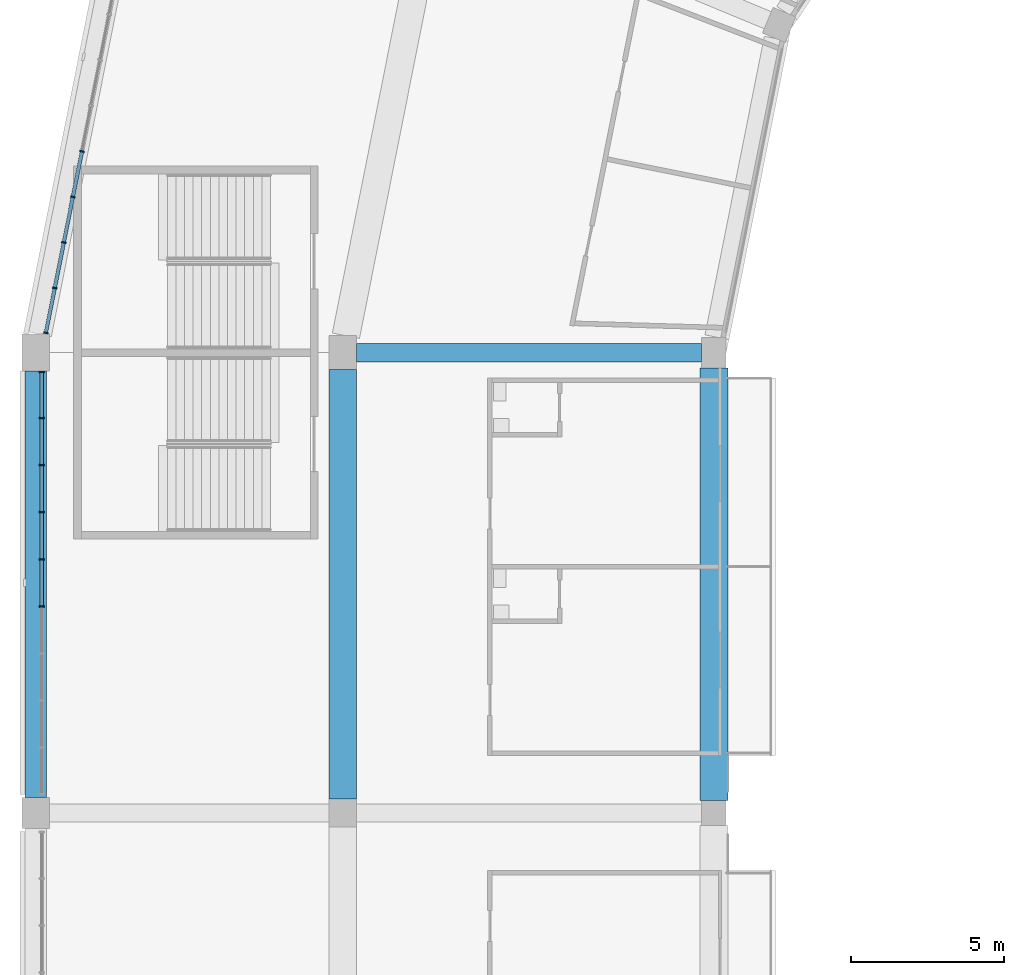
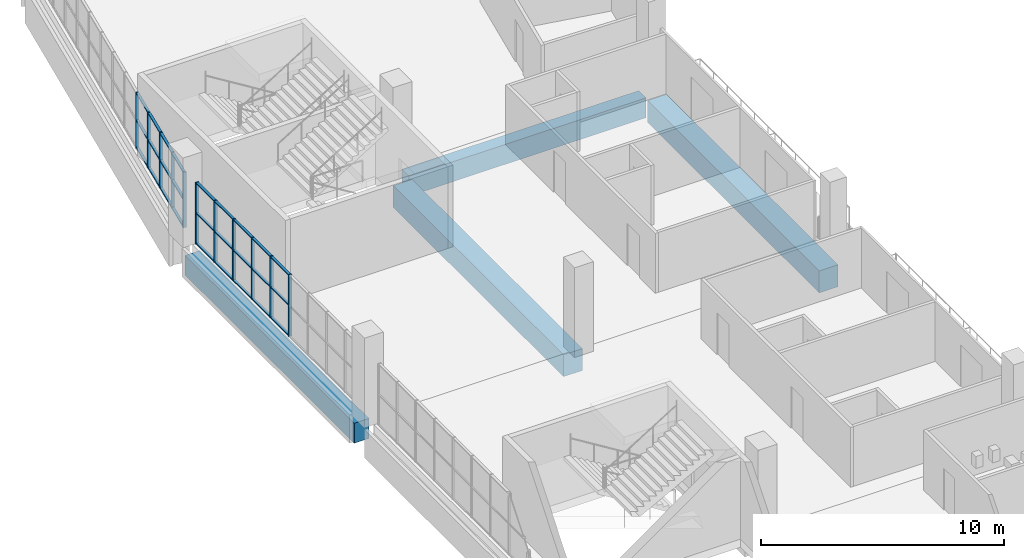
# One storey, part 35 of 199: 38 members, 4 beams, 2 elements without a shape of their own.
"""IFC4 building model written with IfcOpenShell, lengths in metres."""

from ifc_helpers import new_model, si_unit, direction, frame, origin, origin_2d, place, context, subcontext, project, spatial, rectangle, extrude, material, material_profile, profile_set, type_object, element, aggregate, save


model = new_model("IFC4")

# Units and contexts
model_context = context("Model", 3, precision=1e-05, world=origin(), true_north=direction((0.0, 1.0)))
body_context = subcontext(model_context, "Body", "Model", "MODEL_VIEW")
ifc_project = project(units=[si_unit("LENGTHUNIT", "METRE"), si_unit("AREAUNIT", "SQUARE_METRE"), si_unit("VOLUMEUNIT", "CUBIC_METRE"), si_unit("PLANEANGLEUNIT", "RADIAN"), si_unit("MASSUNIT", "GRAM", prefix="KILO")], contexts=[model_context])

# Site, building, storey
site_placement = place(None, origin())
site = spatial("IfcSite", under=ifc_project, at=site_placement, CompositionType="ELEMENT")
building_placement = place(site_placement, origin())
building = spatial("IfcBuilding", under=site, at=building_placement, Name="Ogive Plaza Stadium", CompositionType="ELEMENT")
storey_placement = place(building_placement, frame((0.0, 0.0, 9.0)))
storey = spatial("IfcBuildingStorey", under=building, at=storey_placement, Name="L02", CompositionType="ELEMENT", Elevation=9.0)

# Curtain wall, members
ifc_material_1 = material(Name="Bronze-anodised aluminium with laminated glass", Category="aluminium")
curtain_wall_type = type_object("IfcCurtainWallType", Name="Lancet curtain wall", PredefinedType="NOTDEFINED", material=ifc_material_1)
curtain_wall_1_placement = place(storey_placement, origin())
curtain_wall_1 = element("IfcCurtainWall", 1, at=curtain_wall_1_placement, inside=storey, type_object=curtain_wall_type, Name="CURTAIN WALL B27 L02", PredefinedType="NOTDEFINED")
ifc_material_2 = material(Name="Bronze-anodised aluminium", Category="aluminium")
ifc_material_profile_1 = material_profile(ifc_material_2, rectangle(XDim=0.14990234375, YDim=0.050048828125, at=origin_2d()), Name="AL 150x50")
ifc_profile_set_1 = profile_set([ifc_material_profile_1], Name="Bronze-anodised aluminium")
member_type_1 = type_object("IfcMemberType", Name="Curtain wall mullion 50x150", PredefinedType="MULLION", material=ifc_profile_set_1)
member_1_placement = place(storey_placement, frame((-83.800048828125, 44.2333984375, 0.0), z_axis=(0.0, 0.0, 1.0), x_axis=(-1.0, 0.0, 0.0)))
member_1 = element("IfcMember", 2, at=member_1_placement, type_object=member_type_1, Name="CW-B27-L02 mullion 5", PredefinedType="MULLION", context=body_context, shape_type="SweptSolid", body=[
    extrude(rectangle(XDim=0.14990234375, YDim=0.050048828125, at=origin_2d()), origin(), (0.0, 0.0, 1.0), 3.090087890625),
])
member_2_placement = place(storey_placement, frame((-83.800048828125, 45.7666015625, 0.0), z_axis=(0.0, 0.0, 1.0), x_axis=(-1.0, 0.0, 0.0)))
member_2 = element("IfcMember", 3, at=member_2_placement, type_object=member_type_1, Name="CW-B27-L02 mullion 6", PredefinedType="MULLION", context=body_context, shape_type="SweptSolid", body=[
    extrude(rectangle(XDim=0.14990234375, YDim=0.050048828125, at=origin_2d()), origin(), (0.0, 0.0, 1.0), 3.090087890625),
])
member_3_placement = place(storey_placement, frame((-83.800048828125, 47.300048828125, 0.0), z_axis=(0.0, 0.0, 1.0), x_axis=(-1.0, 0.0, 0.0)))
member_3 = element("IfcMember", 4, at=member_3_placement, type_object=member_type_1, Name="CW-B27-L02 mullion 7", PredefinedType="MULLION", context=body_context, shape_type="SweptSolid", body=[
    extrude(rectangle(XDim=0.14990234375, YDim=0.050048828125, at=origin_2d()), origin(), (0.0, 0.0, 1.0), 3.090087890625),
])
member_4_placement = place(storey_placement, frame((-83.800048828125, 48.833251953125, 0.0), z_axis=(0.0, 0.0, 1.0), x_axis=(-1.0, 0.0, 0.0)))
member_4 = element("IfcMember", 5, at=member_4_placement, type_object=member_type_1, Name="CW-B27-L02 mullion 8", PredefinedType="MULLION", context=body_context, shape_type="SweptSolid", body=[
    extrude(rectangle(XDim=0.14990234375, YDim=0.050048828125, at=origin_2d()), origin(), (0.0, 0.0, 1.0), 3.090087890625),
])
member_5_placement = place(storey_placement, frame((-83.800048828125, 50.36669921875, 0.0), z_axis=(0.0, 0.0, 1.0), x_axis=(-1.0, 0.0, 0.0)))
member_5 = element("IfcMember", 6, at=member_5_placement, type_object=member_type_1, Name="CW-B27-L02 mullion 9", PredefinedType="MULLION", context=body_context, shape_type="SweptSolid", body=[
    extrude(rectangle(XDim=0.14990234375, YDim=0.050048828125, at=origin_2d()), origin(), (0.0, 0.0, 1.0), 3.090087890625),
])
member_6_placement = place(storey_placement, frame((-83.800048828125, 51.875, 0.0), z_axis=(0.0, 0.0, 1.0), x_axis=(-1.0, 0.0, 0.0)))
member_6 = element("IfcMember", 7, at=member_6_placement, type_object=member_type_1, Name="CW-B27-L02 mullion 10", PredefinedType="MULLION", context=body_context, shape_type="SweptSolid", body=[
    extrude(rectangle(XDim=0.14990234375, YDim=0.050048828125, at=origin_2d()), origin(), (0.0, 0.0, 1.0), 3.090087890625),
])

curtain_wall_2_placement = place(storey_placement, origin())
curtain_wall_2 = element("IfcCurtainWall", 8, at=curtain_wall_2_placement, inside=storey, type_object=curtain_wall_type, Name="CURTAIN WALL B28 L02", PredefinedType="NOTDEFINED")
member_7_placement = place(storey_placement, frame((-83.66796875, 53.14404296875, 0.0), z_axis=(0.0, 0.0, 1.0), x_axis=(-0.980785280403, 0.195090322016, 0.0)))
member_7 = element("IfcMember", 9, at=member_7_placement, type_object=member_type_1, Name="CW-B28-L02 mullion 1", PredefinedType="MULLION", context=body_context, shape_type="SweptSolid", body=[
    extrude(rectangle(XDim=0.14990234375, YDim=0.050048828125, at=origin_2d()), origin(), (0.0, 0.0, 1.0), 2.7900390625),
])
member_8_placement = place(storey_placement, frame((-83.37744140625, 54.604248046875, 0.0), z_axis=(0.0, 0.0, 1.0), x_axis=(-0.980785280403, 0.195090322016, 0.0)))
member_8 = element("IfcMember", 10, at=member_8_placement, type_object=member_type_1, Name="CW-B28-L02 mullion 2", PredefinedType="MULLION", context=body_context, shape_type="SweptSolid", body=[
    extrude(rectangle(XDim=0.14990234375, YDim=0.050048828125, at=origin_2d()), origin(), (0.0, 0.0, 1.0), 2.7900390625),
])
member_9_placement = place(storey_placement, frame((-83.082275390625, 56.089111328125, 0.0), z_axis=(0.0, 0.0, 1.0), x_axis=(-0.980785280403, 0.195090322016, 0.0)))
member_9 = element("IfcMember", 11, at=member_9_placement, type_object=member_type_1, Name="CW-B28-L02 mullion 3", PredefinedType="MULLION", context=body_context, shape_type="SweptSolid", body=[
    extrude(rectangle(XDim=0.14990234375, YDim=0.050048828125, at=origin_2d()), origin(), (0.0, 0.0, 1.0), 2.7900390625),
])
member_10_placement = place(storey_placement, frame((-82.786865234375, 57.57373046875, 0.0), z_axis=(0.0, 0.0, 1.0), x_axis=(-0.980785280403, 0.195090322016, 0.0)))
member_10 = element("IfcMember", 12, at=member_10_placement, type_object=member_type_1, Name="CW-B28-L02 mullion 4", PredefinedType="MULLION", context=body_context, shape_type="SweptSolid", body=[
    extrude(rectangle(XDim=0.14990234375, YDim=0.050048828125, at=origin_2d()), origin(), (0.0, 0.0, 1.0), 2.7900390625),
])
member_11_placement = place(storey_placement, frame((-82.491455078125, 59.05859375, 0.0), z_axis=(0.0, 0.0, 1.0), x_axis=(-0.980785280403, 0.195090322016, 0.0)))
member_11 = element("IfcMember", 13, at=member_11_placement, type_object=member_type_1, Name="CW-B28-L02 mullion 5", PredefinedType="MULLION", context=body_context, shape_type="SweptSolid", body=[
    extrude(rectangle(XDim=0.14990234375, YDim=0.050048828125, at=origin_2d()), origin(), (0.0, 0.0, 1.0), 2.7900390625),
])

# Member
ifc_material_3 = material(Name="Bronze-anodised aluminium", Category="aluminium")
ifc_material_profile_2 = material_profile(ifc_material_3, rectangle(XDim=0.1201171875, YDim=0.050048828125, at=origin_2d()), Name="AL 120x50")
ifc_profile_set_2 = profile_set([ifc_material_profile_2], Name="Bronze-anodised aluminium")
member_type_2 = type_object("IfcMemberType", Name="Curtain wall transom 50x120", PredefinedType="USERDEFINED", material=ifc_profile_set_2)
member_12_placement = place(storey_placement, frame((-83.800048828125, 44.25830078125, 0.02490234375), z_axis=(0.0, 1.0, 0.0), x_axis=(-1.0, 0.0, 0.0)))
member_12 = element("IfcMember", 14, at=member_12_placement, type_object=member_type_2, Name="CW-B27-L02 transom 5.1", ObjectType="TRANSOM", PredefinedType="USERDEFINED", context=body_context, shape_type="SweptSolid", body=[
    extrude(rectangle(XDim=0.1201171875, YDim=0.050048828125, at=origin_2d()), origin(), (0.0, 0.0, 1.0), 1.4833984375),
])

member_13_placement = place(storey_placement, frame((-83.800048828125, 44.25830078125, 1.544921875), z_axis=(0.0, 1.0, 0.0), x_axis=(-1.0, 0.0, 0.0)))
member_13 = element("IfcMember", 15, at=member_13_placement, type_object=member_type_2, Name="CW-B27-L02 transom 5.2", ObjectType="TRANSOM", PredefinedType="USERDEFINED", context=body_context, shape_type="SweptSolid", body=[
    extrude(rectangle(XDim=0.1201171875, YDim=0.050048828125, at=origin_2d()), origin(), (0.0, 0.0, 1.0), 1.4833984375),
])

member_14_placement = place(storey_placement, frame((-83.800048828125, 44.25830078125, 3.06494140625), z_axis=(0.0, 1.0, 0.0), x_axis=(-1.0, 0.0, 0.0)))
member_14 = element("IfcMember", 16, at=member_14_placement, type_object=member_type_2, Name="CW-B27-L02 transom 5.3", ObjectType="TRANSOM", PredefinedType="USERDEFINED", context=body_context, shape_type="SweptSolid", body=[
    extrude(rectangle(XDim=0.1201171875, YDim=0.050048828125, at=origin_2d()), origin(), (0.0, 0.0, 1.0), 1.4833984375),
])

member_15_placement = place(storey_placement, frame((-83.800048828125, 45.791748046875, 0.02490234375), z_axis=(0.0, 1.0, 0.0), x_axis=(-1.0, 0.0, 0.0)))
member_15 = element("IfcMember", 17, at=member_15_placement, type_object=member_type_2, Name="CW-B27-L02 transom 6.1", ObjectType="TRANSOM", PredefinedType="USERDEFINED", context=body_context, shape_type="SweptSolid", body=[
    extrude(rectangle(XDim=0.1201171875, YDim=0.050048828125, at=origin_2d()), origin(), (0.0, 0.0, 1.0), 1.483154296875),
])

member_16_placement = place(storey_placement, frame((-83.800048828125, 45.791748046875, 1.544921875), z_axis=(0.0, 1.0, 0.0), x_axis=(-1.0, 0.0, 0.0)))
member_16 = element("IfcMember", 18, at=member_16_placement, type_object=member_type_2, Name="CW-B27-L02 transom 6.2", ObjectType="TRANSOM", PredefinedType="USERDEFINED", context=body_context, shape_type="SweptSolid", body=[
    extrude(rectangle(XDim=0.1201171875, YDim=0.050048828125, at=origin_2d()), origin(), (0.0, 0.0, 1.0), 1.483154296875),
])

member_17_placement = place(storey_placement, frame((-83.800048828125, 45.791748046875, 3.06494140625), z_axis=(0.0, 1.0, 0.0), x_axis=(-1.0, 0.0, 0.0)))
member_17 = element("IfcMember", 19, at=member_17_placement, type_object=member_type_2, Name="CW-B27-L02 transom 6.3", ObjectType="TRANSOM", PredefinedType="USERDEFINED", context=body_context, shape_type="SweptSolid", body=[
    extrude(rectangle(XDim=0.1201171875, YDim=0.050048828125, at=origin_2d()), origin(), (0.0, 0.0, 1.0), 1.483154296875),
])

member_18_placement = place(storey_placement, frame((-83.800048828125, 47.324951171875, 0.02490234375), z_axis=(0.0, 1.0, 0.0), x_axis=(-1.0, 0.0, 0.0)))
member_18 = element("IfcMember", 20, at=member_18_placement, type_object=member_type_2, Name="CW-B27-L02 transom 7.1", ObjectType="TRANSOM", PredefinedType="USERDEFINED", context=body_context, shape_type="SweptSolid", body=[
    extrude(rectangle(XDim=0.1201171875, YDim=0.050048828125, at=origin_2d()), origin(), (0.0, 0.0, 1.0), 1.4833984375),
])

member_19_placement = place(storey_placement, frame((-83.800048828125, 47.324951171875, 1.544921875), z_axis=(0.0, 1.0, 0.0), x_axis=(-1.0, 0.0, 0.0)))
member_19 = element("IfcMember", 21, at=member_19_placement, type_object=member_type_2, Name="CW-B27-L02 transom 7.2", ObjectType="TRANSOM", PredefinedType="USERDEFINED", context=body_context, shape_type="SweptSolid", body=[
    extrude(rectangle(XDim=0.1201171875, YDim=0.050048828125, at=origin_2d()), origin(), (0.0, 0.0, 1.0), 1.4833984375),
])

member_20_placement = place(storey_placement, frame((-83.800048828125, 47.324951171875, 3.06494140625), z_axis=(0.0, 1.0, 0.0), x_axis=(-1.0, 0.0, 0.0)))
member_20 = element("IfcMember", 22, at=member_20_placement, type_object=member_type_2, Name="CW-B27-L02 transom 7.3", ObjectType="TRANSOM", PredefinedType="USERDEFINED", context=body_context, shape_type="SweptSolid", body=[
    extrude(rectangle(XDim=0.1201171875, YDim=0.050048828125, at=origin_2d()), origin(), (0.0, 0.0, 1.0), 1.4833984375),
])

member_21_placement = place(storey_placement, frame((-83.800048828125, 48.8583984375, 0.02490234375), z_axis=(0.0, 1.0, 0.0), x_axis=(-1.0, 0.0, 0.0)))
member_21 = element("IfcMember", 23, at=member_21_placement, type_object=member_type_2, Name="CW-B27-L02 transom 8.1", ObjectType="TRANSOM", PredefinedType="USERDEFINED", context=body_context, shape_type="SweptSolid", body=[
    extrude(rectangle(XDim=0.1201171875, YDim=0.050048828125, at=origin_2d()), origin(), (0.0, 0.0, 1.0), 1.483154296875),
])

member_22_placement = place(storey_placement, frame((-83.800048828125, 48.8583984375, 1.544921875), z_axis=(0.0, 1.0, 0.0), x_axis=(-1.0, 0.0, 0.0)))
member_22 = element("IfcMember", 24, at=member_22_placement, type_object=member_type_2, Name="CW-B27-L02 transom 8.2", ObjectType="TRANSOM", PredefinedType="USERDEFINED", context=body_context, shape_type="SweptSolid", body=[
    extrude(rectangle(XDim=0.1201171875, YDim=0.050048828125, at=origin_2d()), origin(), (0.0, 0.0, 1.0), 1.483154296875),
])

member_23_placement = place(storey_placement, frame((-83.800048828125, 48.8583984375, 3.06494140625), z_axis=(0.0, 1.0, 0.0), x_axis=(-1.0, 0.0, 0.0)))
member_23 = element("IfcMember", 25, at=member_23_placement, type_object=member_type_2, Name="CW-B27-L02 transom 8.3", ObjectType="TRANSOM", PredefinedType="USERDEFINED", context=body_context, shape_type="SweptSolid", body=[
    extrude(rectangle(XDim=0.1201171875, YDim=0.050048828125, at=origin_2d()), origin(), (0.0, 0.0, 1.0), 1.483154296875),
])

member_24_placement = place(storey_placement, frame((-83.800048828125, 50.3916015625, 0.02490234375), z_axis=(0.0, 1.0, 0.0), x_axis=(-1.0, 0.0, 0.0)))
member_24 = element("IfcMember", 26, at=member_24_placement, type_object=member_type_2, Name="CW-B27-L02 transom 9.1", ObjectType="TRANSOM", PredefinedType="USERDEFINED", context=body_context, shape_type="SweptSolid", body=[
    extrude(rectangle(XDim=0.1201171875, YDim=0.050048828125, at=origin_2d()), origin(), (0.0, 0.0, 1.0), 1.45849609375),
])

member_25_placement = place(storey_placement, frame((-83.800048828125, 50.3916015625, 1.544921875), z_axis=(0.0, 1.0, 0.0), x_axis=(-1.0, 0.0, 0.0)))
member_25 = element("IfcMember", 27, at=member_25_placement, type_object=member_type_2, Name="CW-B27-L02 transom 9.2", ObjectType="TRANSOM", PredefinedType="USERDEFINED", context=body_context, shape_type="SweptSolid", body=[
    extrude(rectangle(XDim=0.1201171875, YDim=0.050048828125, at=origin_2d()), origin(), (0.0, 0.0, 1.0), 1.45849609375),
])

member_26_placement = place(storey_placement, frame((-83.800048828125, 50.3916015625, 3.06494140625), z_axis=(0.0, 1.0, 0.0), x_axis=(-1.0, 0.0, 0.0)))
member_26 = element("IfcMember", 28, at=member_26_placement, type_object=member_type_2, Name="CW-B27-L02 transom 9.3", ObjectType="TRANSOM", PredefinedType="USERDEFINED", context=body_context, shape_type="SweptSolid", body=[
    extrude(rectangle(XDim=0.1201171875, YDim=0.050048828125, at=origin_2d()), origin(), (0.0, 0.0, 1.0), 1.45849609375),
])

aggregate(curtain_wall_1, [member_1, member_2, member_3, member_4, member_5, member_6, member_12, member_13, member_14, member_15, member_16, member_17, member_18, member_19, member_20, member_21, member_22, member_23, member_24, member_25, member_26])

member_27_placement = place(storey_placement, frame((-83.6630859375, 53.16845703125, 0.02490234375), z_axis=(0.195104618913, 0.980782436465, 0.0), x_axis=(-0.980782436465, 0.195104618913, 0.0)))
member_27 = element("IfcMember", 29, at=member_27_placement, type_object=member_type_2, Name="CW-B28-L02 transom 1.1", ObjectType="TRANSOM", PredefinedType="USERDEFINED", context=body_context, shape_type="SweptSolid", body=[
    extrude(rectangle(XDim=0.1201171875, YDim=0.050048828125, at=origin_2d()), origin(), (0.0, 0.0, 1.0), 1.43896484375),
])

member_28_placement = place(storey_placement, frame((-83.6630859375, 53.16845703125, 1.39501953125), z_axis=(0.195104618913, 0.980782436465, 0.0), x_axis=(-0.980782436465, 0.195104618913, 0.0)))
member_28 = element("IfcMember", 30, at=member_28_placement, type_object=member_type_2, Name="CW-B28-L02 transom 1.2", ObjectType="TRANSOM", PredefinedType="USERDEFINED", context=body_context, shape_type="SweptSolid", body=[
    extrude(rectangle(XDim=0.1201171875, YDim=0.050048828125, at=origin_2d()), origin(), (0.0, 0.0, 1.0), 1.43896484375),
])

member_29_placement = place(storey_placement, frame((-83.6630859375, 53.16845703125, 2.764892578125), z_axis=(0.195104618913, 0.980782436465, 0.0), x_axis=(-0.980782436465, 0.195104618913, 0.0)))
member_29 = element("IfcMember", 31, at=member_29_placement, type_object=member_type_2, Name="CW-B28-L02 transom 1.3", ObjectType="TRANSOM", PredefinedType="USERDEFINED", context=body_context, shape_type="SweptSolid", body=[
    extrude(rectangle(XDim=0.1201171875, YDim=0.050048828125, at=origin_2d()), origin(), (0.0, 0.0, 1.0), 1.43896484375),
])

member_30_placement = place(storey_placement, frame((-83.37255859375, 54.62890625, 0.02490234375), z_axis=(0.194993290732, 0.980804576136, 0.0), x_axis=(-0.980804576136, 0.194993290732, 0.0)))
member_30 = element("IfcMember", 32, at=member_30_placement, type_object=member_type_2, Name="CW-B28-L02 transom 2.1", ObjectType="TRANSOM", PredefinedType="USERDEFINED", context=body_context, shape_type="SweptSolid", body=[
    extrude(rectangle(XDim=0.1201171875, YDim=0.050048828125, at=origin_2d()), origin(), (0.0, 0.0, 1.0), 1.463623046875),
])

member_31_placement = place(storey_placement, frame((-83.37255859375, 54.62890625, 1.39501953125), z_axis=(0.194993290732, 0.980804576136, 0.0), x_axis=(-0.980804576136, 0.194993290732, 0.0)))
member_31 = element("IfcMember", 33, at=member_31_placement, type_object=member_type_2, Name="CW-B28-L02 transom 2.2", ObjectType="TRANSOM", PredefinedType="USERDEFINED", context=body_context, shape_type="SweptSolid", body=[
    extrude(rectangle(XDim=0.1201171875, YDim=0.050048828125, at=origin_2d()), origin(), (0.0, 0.0, 1.0), 1.463623046875),
])

member_32_placement = place(storey_placement, frame((-83.37255859375, 54.62890625, 2.764892578125), z_axis=(0.194993290732, 0.980804576136, 0.0), x_axis=(-0.980804576136, 0.194993290732, 0.0)))
member_32 = element("IfcMember", 34, at=member_32_placement, type_object=member_type_2, Name="CW-B28-L02 transom 2.3", ObjectType="TRANSOM", PredefinedType="USERDEFINED", context=body_context, shape_type="SweptSolid", body=[
    extrude(rectangle(XDim=0.1201171875, YDim=0.050048828125, at=origin_2d()), origin(), (0.0, 0.0, 1.0), 1.463623046875),
])

member_33_placement = place(storey_placement, frame((-83.077392578125, 56.113525390625, 0.02490234375), z_axis=(0.195121823859, 0.980779013771, 0.0), x_axis=(-0.980779013771, 0.195121823859, 0.0)))
member_33 = element("IfcMember", 35, at=member_33_placement, type_object=member_type_2, Name="CW-B28-L02 transom 3.1", ObjectType="TRANSOM", PredefinedType="USERDEFINED", context=body_context, shape_type="SweptSolid", body=[
    extrude(rectangle(XDim=0.1201171875, YDim=0.050048828125, at=origin_2d()), origin(), (0.0, 0.0, 1.0), 1.4638671875),
])

member_34_placement = place(storey_placement, frame((-83.077392578125, 56.113525390625, 1.39501953125), z_axis=(0.195121823859, 0.980779013771, 0.0), x_axis=(-0.980779013771, 0.195121823859, 0.0)))
member_34 = element("IfcMember", 36, at=member_34_placement, type_object=member_type_2, Name="CW-B28-L02 transom 3.2", ObjectType="TRANSOM", PredefinedType="USERDEFINED", context=body_context, shape_type="SweptSolid", body=[
    extrude(rectangle(XDim=0.1201171875, YDim=0.050048828125, at=origin_2d()), origin(), (0.0, 0.0, 1.0), 1.4638671875),
])

member_35_placement = place(storey_placement, frame((-83.077392578125, 56.113525390625, 2.764892578125), z_axis=(0.195121823859, 0.980779013771, 0.0), x_axis=(-0.980779013771, 0.195121823859, 0.0)))
member_35 = element("IfcMember", 37, at=member_35_placement, type_object=member_type_2, Name="CW-B28-L02 transom 3.3", ObjectType="TRANSOM", PredefinedType="USERDEFINED", context=body_context, shape_type="SweptSolid", body=[
    extrude(rectangle(XDim=0.1201171875, YDim=0.050048828125, at=origin_2d()), origin(), (0.0, 0.0, 1.0), 1.4638671875),
])

member_36_placement = place(storey_placement, frame((-82.781982421875, 57.598388671875, 0.02490234375), z_axis=(0.195153744134, 0.980772662828, 0.0), x_axis=(-0.980772662828, 0.195153744134, 0.0)))
member_36 = element("IfcMember", 38, at=member_36_placement, type_object=member_type_2, Name="CW-B28-L02 transom 4.1", ObjectType="TRANSOM", PredefinedType="USERDEFINED", context=body_context, shape_type="SweptSolid", body=[
    extrude(rectangle(XDim=0.1201171875, YDim=0.050048828125, at=origin_2d()), origin(), (0.0, 0.0, 1.0), 1.463623046875),
])

member_37_placement = place(storey_placement, frame((-82.781982421875, 57.598388671875, 1.39501953125), z_axis=(0.195153744134, 0.980772662828, 0.0), x_axis=(-0.980772662828, 0.195153744134, 0.0)))
member_37 = element("IfcMember", 39, at=member_37_placement, type_object=member_type_2, Name="CW-B28-L02 transom 4.2", ObjectType="TRANSOM", PredefinedType="USERDEFINED", context=body_context, shape_type="SweptSolid", body=[
    extrude(rectangle(XDim=0.1201171875, YDim=0.050048828125, at=origin_2d()), origin(), (0.0, 0.0, 1.0), 1.463623046875),
])

member_38_placement = place(storey_placement, frame((-82.781982421875, 57.598388671875, 2.764892578125), z_axis=(0.195153744134, 0.980772662828, 0.0), x_axis=(-0.980772662828, 0.195153744134, 0.0)))
member_38 = element("IfcMember", 40, at=member_38_placement, type_object=member_type_2, Name="CW-B28-L02 transom 4.3", ObjectType="TRANSOM", PredefinedType="USERDEFINED", context=body_context, shape_type="SweptSolid", body=[
    extrude(rectangle(XDim=0.1201171875, YDim=0.050048828125, at=origin_2d()), origin(), (0.0, 0.0, 1.0), 1.463623046875),
])

aggregate(curtain_wall_2, [member_7, member_8, member_9, member_10, member_11, member_27, member_28, member_29, member_30, member_31, member_32, member_33, member_34, member_35, member_36, member_37, member_38])

# Beams
ifc_material_4 = material(Name="Concrete C40/50", Category="concrete")
ifc_material_profile_3 = material_profile(ifc_material_4, rectangle(XDim=0.60009765625, YDim=1.0, at=origin_2d()), Name="RC 600x1000")
ifc_profile_set_3 = profile_set([ifc_material_profile_3], Name="Concrete C40/50")
beam_type_1 = type_object("IfcBeamType", Name="RC radial beam 600x1000", PredefinedType="BEAM", material=ifc_profile_set_3)
beam_1_placement = place(storey_placement, frame((-62.300048828125, 52.5, -0.909912109375), z_axis=(-1.0, 0.0, 0.0), x_axis=(0.0, -1.0, 0.0)))
element("IfcBeam", 41, at=beam_1_placement, inside=storey, type_object=beam_type_1, Name="Radial beam L02 R28 F3F4", PredefinedType="BEAM", context=body_context, shape_type="SweptSolid", body=[
    extrude(rectangle(XDim=0.60009765625, YDim=1.0, at=origin_2d()), origin(), (0.0, 0.0, 1.0), 11.25),
])
ifc_material_5 = material(Name="Concrete C40/50", Category="concrete")
ifc_material_profile_4 = material_profile(ifc_material_5, rectangle(XDim=0.89990234375, YDim=1.10009765625, at=origin_2d()), Name="RC 900x1100")
ifc_profile_set_4 = profile_set([ifc_material_profile_4], Name="Concrete C40/50")
beam_type_2 = type_object("IfcBeamType", Name="RC ring beam 900x1100", PredefinedType="BEAM", material=ifc_profile_set_4)
beam_2_placement = place(storey_placement, frame((-74.0, 37.949951171875, -0.9599609375), z_axis=(0.0, 1.0, 0.0), x_axis=(-1.0, 0.0, 0.0)))
element("IfcBeam", 42, at=beam_2_placement, inside=storey, type_object=beam_type_2, Name="Ring beam F4 L02 B27", PredefinedType="BEAM", context=body_context, shape_type="SweptSolid", body=[
    extrude(rectangle(XDim=0.89990234375, YDim=1.10009765625, at=origin_2d()), origin(), (0.0, 0.0, 1.0), 14.0),
])
beam_3_placement = place(storey_placement, frame((-61.89990234375, 37.89990234375, -0.9599609375), z_axis=(0.0, 1.0, 0.0), x_axis=(-1.0, 0.0, 0.0)))
element("IfcBeam", 43, at=beam_3_placement, inside=storey, type_object=beam_type_2, Name="Ring beam F3 L02 B27", PredefinedType="BEAM", context=body_context, shape_type="SweptSolid", body=[
    extrude(rectangle(XDim=0.89990234375, YDim=1.10009765625, at=origin_2d()), origin(), (0.0, 0.0, 1.0), 14.10009765625),
])
ifc_material_6 = material(Name="Concrete C40/50", Category="concrete")
ifc_material_profile_5 = material_profile(ifc_material_6, rectangle(XDim=0.699951171875, YDim=1.0, at=origin_2d()), Name="RC 700x1000")
ifc_profile_set_5 = profile_set([ifc_material_profile_5], Name="Concrete C40/50")
beam_type_3 = type_object("IfcBeamType", Name="RC spandrel beam 700x1000", PredefinedType="SPANDREL", material=ifc_profile_set_5)
beam_4_placement = place(storey_placement, frame((-84.0, 38.0, -0.909912109375), z_axis=(0.0, 1.0, 0.0), x_axis=(-1.0, 0.0, 0.0)))
element("IfcBeam", 44, at=beam_4_placement, inside=storey, type_object=beam_type_3, Name="Ring beam F5 L02 B27", PredefinedType="SPANDREL", context=body_context, shape_type="SweptSolid", body=[
    extrude(rectangle(XDim=0.699951171875, YDim=1.0, at=origin_2d()), origin(), (0.0, 0.0, 1.0), 13.89990234375),
])

save(model, "model.ifc")
